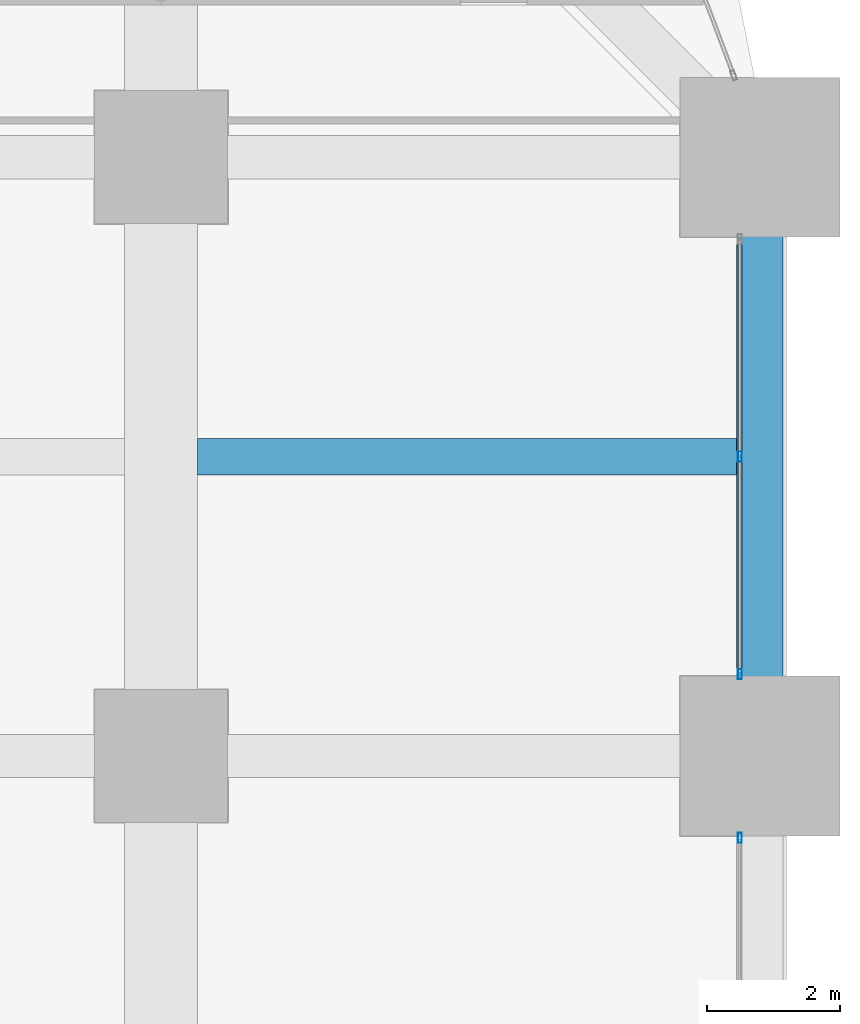
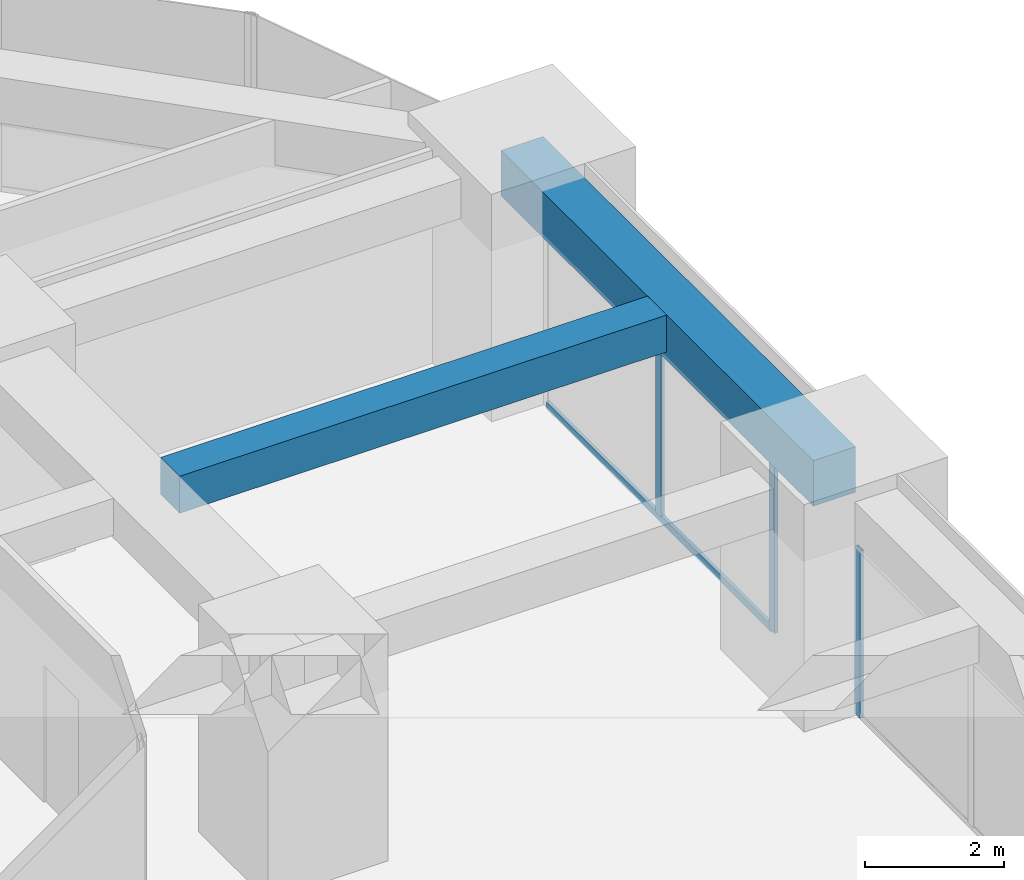
# One storey, part 23 of 41: 4 members, 2 beams, 2 elements without a shape of their own.
"""IFC4 building model written with IfcOpenShell, lengths in metres."""

from ifc_helpers import new_model, si_unit, direction, frame, origin, origin_2d, place, context, subcontext, project, spatial, rectangle, hollow_rectangle, extrude, material, material_profile, profile_set, type_object, element, aggregate, save


model = new_model("IFC4")

# Units and contexts
model_context = context("Model", 3, precision=1e-05, world=origin(), true_north=direction((0.0, 1.0)))
body_context = subcontext(model_context, "Body", "Model", "MODEL_VIEW")
ifc_project = project(units=[si_unit("LENGTHUNIT", "METRE"), si_unit("AREAUNIT", "SQUARE_METRE"), si_unit("VOLUMEUNIT", "CUBIC_METRE"), si_unit("PLANEANGLEUNIT", "RADIAN"), si_unit("MASSUNIT", "GRAM", prefix="KILO")], contexts=[model_context])

# Site, building, storey
site_placement = place(None, origin())
site = spatial("IfcSite", under=ifc_project, at=site_placement, CompositionType="ELEMENT")
building_placement = place(site_placement, origin())
building = spatial("IfcBuilding", under=site, at=building_placement, Name="Zorevar Civic Tower", CompositionType="ELEMENT")
storey_placement = place(building_placement, frame((0.0, 0.0, 105.0)))
storey = spatial("IfcBuildingStorey", under=building, at=storey_placement, Name="L25", CompositionType="ELEMENT", Elevation=105.0)

# Beam
ifc_material_1 = material(Name="Concrete C50/60", Category="concrete")
ifc_material_profile_1 = material_profile(ifc_material_1, rectangle(XDim=0.550048828125, YDim=0.64990234375, at=origin_2d()), Name="RC 550x650")
ifc_profile_set_1 = profile_set([ifc_material_profile_1], Name="Concrete C50/60")
beam_type_1 = type_object("IfcBeamType", Name="Beam RC 550x650", PredefinedType="BEAM", material=ifc_profile_set_1)
beam_1_placement = place(storey_placement, frame((54.550048828125, 31.5, 3.425048828125), z_axis=(1.0, 0.0, 0.0), x_axis=(0.0, 1.0, 0.0)))
element("IfcBeam", 1, at=beam_1_placement, inside=storey, type_object=beam_type_1, Name="Secondary beam L26", PredefinedType="BEAM", context=body_context, shape_type="SweptSolid", body=[
    extrude(rectangle(XDim=0.550048828125, YDim=0.64990234375, at=origin_2d()), origin(), (0.0, 0.0, 1.0), 8.099853515625),
])

# Curtain wall, member
ifc_material_2 = material(Name="Dark grey solar-control glass in black aluminium frame", Category="aluminium")
curtain_wall_type = type_object("IfcCurtainWallType", Name="Curtain wall CW3 mid zone", PredefinedType="NOTDEFINED", material=ifc_material_2)
curtain_wall_1_placement = place(storey_placement, origin())
curtain_wall_1 = element("IfcCurtainWall", 2, at=curtain_wall_1_placement, inside=storey, type_object=curtain_wall_type, Name="CW3 L25", PredefinedType="NOTDEFINED")
ifc_material_3 = material(Name="Aluminium, black anodised", Category="aluminium")
ifc_material_profile_2 = material_profile(ifc_material_3, hollow_rectangle(XDim=0.06005859375, YDim=0.14990234375, WallThickness=0.00390625, at=origin_2d()), Name="AL 150x60x4")
ifc_profile_set_2 = profile_set([ifc_material_profile_2], Name="Aluminium, black anodised")
member_type_1 = type_object("IfcMemberType", Name="CW3 mullion AL 150x60x4", PredefinedType="MULLION", material=ifc_profile_set_2)
member_1_placement = place(storey_placement, frame((62.699951171875, 25.77001953125, 0.0), z_axis=(0.0, 0.0, 1.0), x_axis=(-1.0, 0.0, 0.0)))
member_1 = element("IfcMember", 3, at=member_1_placement, type_object=member_type_1, Name="CW3 mullion 3", PredefinedType="MULLION", context=body_context, shape_type="SweptSolid", body=[
    extrude(hollow_rectangle(XDim=0.06005859375, YDim=0.14990234375, WallThickness=0.00390625, at=origin_2d()), origin(), (0.0, 0.0, 1.0), 2.949951171875),
])
aggregate(curtain_wall_1, [member_1])

# Curtain wall, members
curtain_wall_2_placement = place(storey_placement, origin())
curtain_wall_2 = element("IfcCurtainWall", 4, at=curtain_wall_2_placement, inside=storey, type_object=curtain_wall_type, Name="CW3 L25", PredefinedType="NOTDEFINED")
member_2_placement = place(storey_placement, frame((62.699951171875, 28.22998046875, 0.0), z_axis=(0.0, 0.0, 1.0), x_axis=(-1.0, 0.0, 0.0)))
member_2 = element("IfcMember", 5, at=member_2_placement, type_object=member_type_1, Name="CW3 mullion 1", PredefinedType="MULLION", context=body_context, shape_type="SweptSolid", body=[
    extrude(hollow_rectangle(XDim=0.06005859375, YDim=0.14990234375, WallThickness=0.00390625, at=origin_2d()), origin(), (0.0, 0.0, 1.0), 2.949951171875),
])
member_3_placement = place(storey_placement, frame((62.699951171875, 31.5, 0.06005859375), z_axis=(0.0, 0.0, 1.0), x_axis=(-1.0, 0.0, 0.0)))
member_3 = element("IfcMember", 6, at=member_3_placement, type_object=member_type_1, Name="CW3 mullion 2", PredefinedType="MULLION", context=body_context, shape_type="SweptSolid", body=[
    extrude(hollow_rectangle(XDim=0.06005859375, YDim=0.14990234375, WallThickness=0.00390625, at=origin_2d()), origin(), (0.0, 0.0, 1.0), 2.889892578125),
])
ifc_material_4 = material(Name="Aluminium, black anodised", Category="aluminium")
ifc_material_profile_3 = material_profile(ifc_material_4, hollow_rectangle(XDim=0.06005859375, YDim=0.1201171875, WallThickness=0.0029296875, at=origin_2d()), Name="AL 120x60x3")
ifc_profile_set_3 = profile_set([ifc_material_profile_3], Name="Aluminium, black anodised")
member_type_2 = type_object("IfcMemberType", Name="CW3 transom AL 120x60x3", PredefinedType="USERDEFINED", material=ifc_profile_set_3)
member_4_placement = place(storey_placement, frame((62.699951171875, 28.260009765625, 0.030029296875), z_axis=(0.0, 1.0, 0.0), x_axis=(-1.0, 0.0, 0.0)))
member_4 = element("IfcMember", 7, at=member_4_placement, type_object=member_type_2, Name="CW3 sill transom", ObjectType="TRANSOM", PredefinedType="USERDEFINED", context=body_context, shape_type="SweptSolid", body=[
    extrude(hollow_rectangle(XDim=0.06005859375, YDim=0.1201171875, WallThickness=0.0029296875, at=origin_2d()), origin(), (0.0, 0.0, 1.0), 6.47998046875),
])
aggregate(curtain_wall_2, [member_2, member_3, member_4])

# Beam
ifc_material_5 = material(Name="Concrete C50/60", Category="concrete")
ifc_material_profile_4 = material_profile(ifc_material_5, rectangle(XDim=0.699951171875, YDim=0.800048828125, at=origin_2d()), Name="RC 700x800")
ifc_profile_set_4 = profile_set([ifc_material_profile_4], Name="Concrete C50/60")
beam_type_2 = type_object("IfcBeamType", Name="Edge beam RC 700x800", PredefinedType="SPANDREL", material=ifc_profile_set_4)
beam_2_placement = place(storey_placement, frame((63.0, 27.0, 3.35009765625), z_axis=(0.0, 1.0, 0.0), x_axis=(-1.0, 0.0, 0.0)))
element("IfcBeam", 8, at=beam_2_placement, inside=storey, type_object=beam_type_2, Name="Edge beam L26", PredefinedType="SPANDREL", context=body_context, shape_type="SweptSolid", body=[
    extrude(rectangle(XDim=0.699951171875, YDim=0.800048828125, at=origin_2d()), origin(), (0.0, 0.0, 1.0), 9.0),
])

save(model, "model.ifc")
